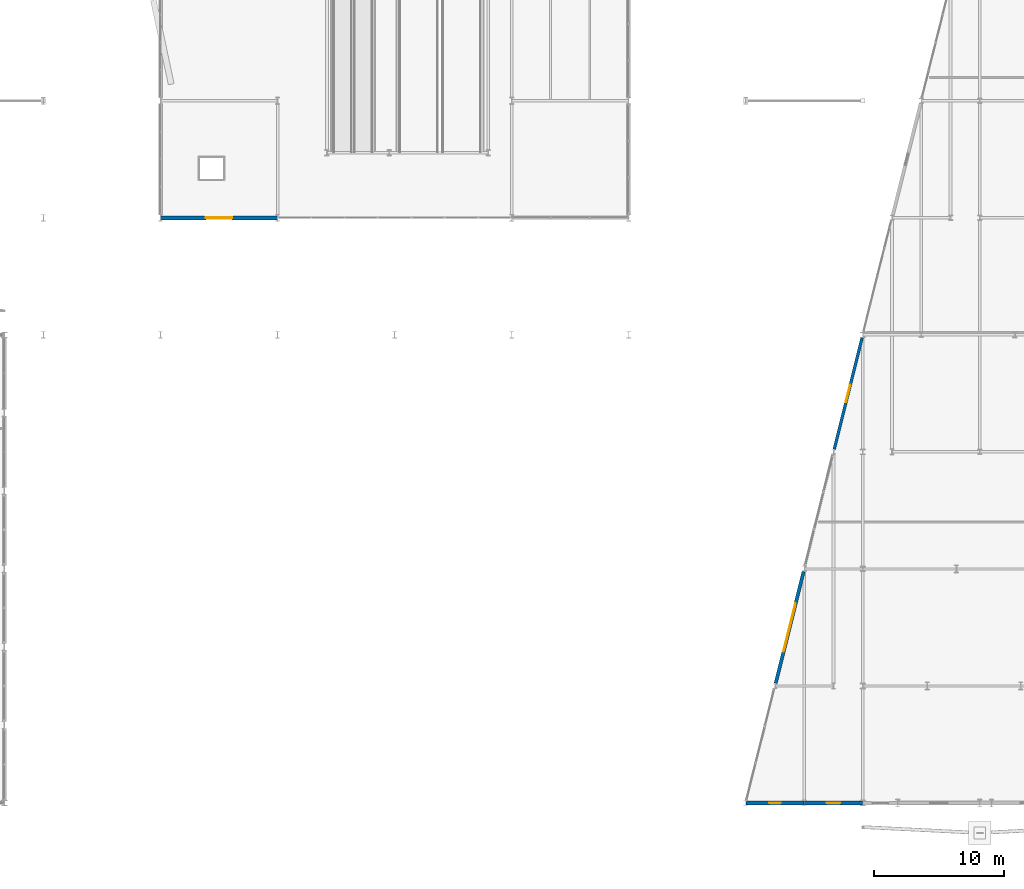
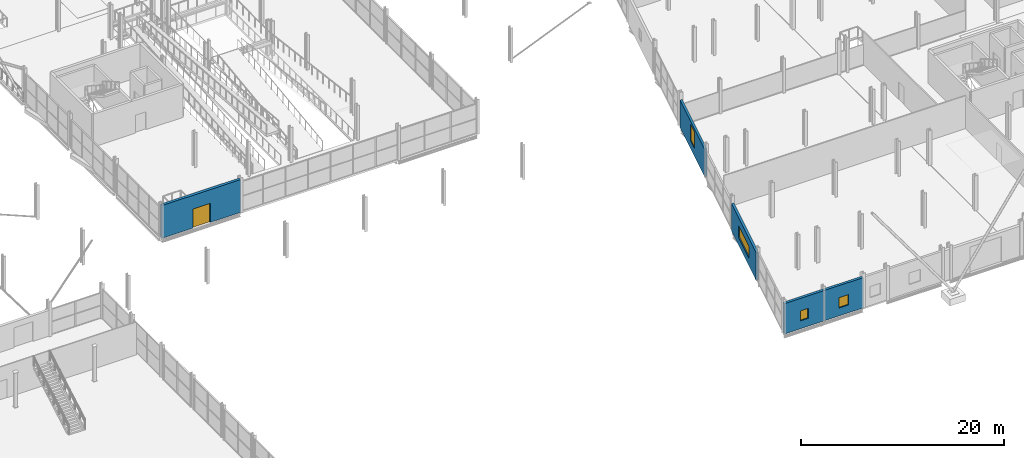
# One storey, part 120 of 140: 5 walls, 4 windows, 1 door, 5 openings.
"""IFC4 building model written with IfcOpenShell, lengths in metres."""

from ifc_helpers import new_model, si_unit, direction, frame, frame_2d, origin, place, context, subcontext, project, spatial, rectangle, extrude, material, layer, layer_set, type_object, element, fill, save


model = new_model("IFC4")

# Units and contexts
model_context = context("Model", 3, precision=1e-05, world=origin(), true_north=direction((0.0, 1.0)))
body_context = subcontext(model_context, "Body", "Model", "MODEL_VIEW")
ifc_project = project(units=[si_unit("LENGTHUNIT", "METRE"), si_unit("AREAUNIT", "SQUARE_METRE"), si_unit("VOLUMEUNIT", "CUBIC_METRE"), si_unit("PLANEANGLEUNIT", "RADIAN"), si_unit("MASSUNIT", "GRAM", prefix="KILO")], contexts=[model_context])

# Site, building, storey
site_placement = place(None, origin())
site = spatial("IfcSite", under=ifc_project, at=site_placement, CompositionType="ELEMENT")
building_placement = place(site_placement, origin())
building = spatial("IfcBuilding", under=site, at=building_placement, Name="Deido Ridge Mobility Hub", CompositionType="ELEMENT")
storey_placement = place(building_placement, origin())
storey = spatial("IfcBuildingStorey", under=building, at=storey_placement, Name="L00", CompositionType="ELEMENT", Elevation=0.0)

# Wall, opening, window
ifc_material_1 = material(Name="Powder-coated aluminium cladding EN AW-3003", Category="aluminium")
ifc_layer_1 = layer(ifc_material_1, 0.22509765625, Name="Powder-coated aluminium cladding EN AW-3003")
ifc_layer_set_1 = layer_set([ifc_layer_1], Name="Powder-coated aluminium cladding EN AW-3003")
wall_type_1 = type_object("IfcWallType", Name="WL-EXT-ALU-225", PredefinedType="STANDARD", material=ifc_layer_set_1)
wall_1_placement = place(storey_placement, frame((123.80126953125, 27.20458984375, 0.0), z_axis=(0.0, 0.0, 1.0), x_axis=(0.242509593434, 0.970149007675, 0.0)))
wall_1 = element("IfcWall", 1, at=wall_1_placement, inside=storey, type_object=wall_type_1, Name="Exterior wall EW6", PredefinedType="STANDARD", context=body_context, shape_type="SweptSolid", body=[
    extrude(rectangle(XDim=8.826904296875, YDim=0.22509765625, at=frame_2d((4.41357421875, 0.0))), origin(), (0.0, 0.0, 1.0), 3.324951171875),
])
opening_1_placement = place(wall_1_placement, frame((3.71337890625, 0.0, 0.949951171875)))
opening_1 = element("IfcOpeningElement", 2, at=opening_1_placement, cuts=wall_1, Name="Opening W21", PredefinedType="OPENING", context=body_context, shape_type="SweptSolid", body=[
    extrude(rectangle(XDim=1.39990234375, YDim=2.0, at=frame_2d((0.699951171875, 1.0))), frame((0.0, 0.12255859375, 0.0), z_axis=(0.0, -1.0, 0.0), x_axis=(1.0, 0.0, 0.0)), (0.0, 0.0, 1.0), 0.2451171875),
])
ifc_material_2 = material(Name="Laminated solar-control low-E glass", Category="glass")
window_type_1 = type_object("IfcWindowType", Name="WN-ALU-1400X2000", PartitioningType="SINGLE_PANEL", PredefinedType="WINDOW", material=ifc_material_2)
window_1_placement = place(opening_1_placement, origin())
window_1 = element("IfcWindow", 3, at=window_1_placement, inside=storey, type_object=window_type_1, Name="Exterior window W21", OverallHeight=2.0, OverallWidth=1.39990234375, PartitioningType="SINGLE_PANEL", PredefinedType="WINDOW", context=body_context, shape_type="SweptSolid", body=[
    extrude(rectangle(XDim=1.39990234375, YDim=2.0, at=frame_2d((0.699951171875, 1.0))), frame((0.0, 0.030029296875, 0.0), z_axis=(0.0, -1.0, 0.0), x_axis=(1.0, 0.0, 0.0)), (0.0, 0.0, 1.0), 0.06005859375),
])
fill(opening_1, window_1)

ifc_material_3 = material(Name="Concrete blockwork masonry", Category="masonry")
ifc_layer_2 = layer(ifc_material_3, 0.264892578125, Name="Concrete blockwork masonry")
ifc_layer_set_2 = layer_set([ifc_layer_2], Name="Concrete blockwork masonry")
wall_type_2 = type_object("IfcWallType", Name="WL-EXT-BLK-265", PredefinedType="STANDARD", material=ifc_layer_set_2)
wall_2_placement = place(storey_placement, frame((119.30126953125, 9.20458984375, 0.0), z_axis=(0.0, 0.0, 1.0), x_axis=(0.242509676291, 0.970148986963, 0.0)))
wall_2 = element("IfcWall", 4, at=wall_2_placement, inside=storey, type_object=wall_type_2, Name="Exterior wall EW3", PredefinedType="STANDARD", context=body_context, shape_type="SweptSolid", body=[
    extrude(rectangle(XDim=8.855224609375, YDim=0.264892578125, at=frame_2d((4.427734375, 0.0))), origin(), (0.0, 0.0, 1.0), 3.324951171875),
])
opening_2_placement = place(wall_2_placement, frame((2.527587890625, 0.0, 0.949951171875)))
opening_2 = element("IfcOpeningElement", 5, at=opening_2_placement, cuts=wall_2, Name="Opening W19", PredefinedType="OPENING", context=body_context, shape_type="SweptSolid", body=[
    extrude(rectangle(XDim=3.800048828125, YDim=1.39990234375, at=frame_2d((1.89990234375, 0.699951171875))), frame((0.0, 0.142578125, 0.0), z_axis=(0.0, -1.0, 0.0), x_axis=(1.0, 0.0, 0.0)), (0.0, 0.0, 1.0), 0.284912109375),
])
window_type_2 = type_object("IfcWindowType", Name="WN-ALU-3800X1400", PartitioningType="DOUBLE_PANEL_VERTICAL", PredefinedType="WINDOW", material=ifc_material_2)
window_2_placement = place(opening_2_placement, origin())
window_2 = element("IfcWindow", 6, at=window_2_placement, inside=storey, type_object=window_type_2, Name="Exterior window W19", OverallHeight=1.39990234375, OverallWidth=3.800048828125, PartitioningType="SINGLE_PANEL", PredefinedType="WINDOW", context=body_context, shape_type="SweptSolid", body=[
    extrude(rectangle(XDim=3.800048828125, YDim=1.39990234375, at=frame_2d((1.89990234375, 0.699951171875))), frame((0.0, 0.030029296875, 0.0), z_axis=(0.0, -1.0, 0.0), x_axis=(1.0, 0.0, 0.0)), (0.0, 0.0, 1.0), 0.06005859375),
])
fill(opening_2, window_2)

ifc_material_4 = material(Name="Fired clay brick masonry", Category="masonry")
ifc_layer_3 = layer(ifc_material_4, 0.294921875, Name="Fired clay brick masonry")
ifc_layer_set_3 = layer_set([ifc_layer_3], Name="Fired clay brick masonry")
wall_type_3 = type_object("IfcWallType", Name="WL-EXT-BRK-295", PredefinedType="STANDARD", material=ifc_layer_set_3)
wall_3_placement = place(storey_placement, frame((121.507080078125, 0.0, 0.0), z_axis=(0.0, 0.0, 1.0), x_axis=(1.0, 0.0, 0.0)))
wall_3 = element("IfcWall", 7, at=wall_3_placement, inside=storey, type_object=wall_type_3, Name="Exterior wall EW2", PredefinedType="STANDARD", context=body_context, shape_type="SweptSolid", body=[
    extrude(rectangle(XDim=4.484130859375, YDim=0.294921875, at=frame_2d((2.2421875, 0.0))), origin(), (0.0, 0.0, 1.0), 3.655029296875),
])
opening_3_placement = place(wall_3_placement, frame((1.717041015625, 0.0, 0.949951171875)))
opening_3 = element("IfcOpeningElement", 8, at=opening_3_placement, cuts=wall_3, Name="Opening W2", PredefinedType="OPENING", context=body_context, shape_type="SweptSolid", body=[
    extrude(rectangle(XDim=1.050048828125, YDim=1.25, at=frame_2d((0.52490234375, 0.625))), frame((0.0, 0.157470703125, 0.0), z_axis=(0.0, -1.0, 0.0), x_axis=(1.0, 0.0, 0.0)), (0.0, 0.0, 1.0), 0.31494140625),
])
window_type_3 = type_object("IfcWindowType", Name="WN-ALU-1050X1250", PartitioningType="SINGLE_PANEL", PredefinedType="WINDOW", material=ifc_material_2)
window_3_placement = place(opening_3_placement, origin())
window_3 = element("IfcWindow", 9, at=window_3_placement, inside=storey, type_object=window_type_3, Name="Exterior window W2", OverallHeight=1.25, OverallWidth=1.050048828125, PartitioningType="SINGLE_PANEL", PredefinedType="WINDOW", context=body_context, shape_type="SweptSolid", body=[
    extrude(rectangle(XDim=1.050048828125, YDim=1.25, at=frame_2d((0.52490234375, 0.625))), frame((0.0, 0.030029296875, 0.0), z_axis=(0.0, -1.0, 0.0), x_axis=(1.0, 0.0, 0.0)), (0.0, 0.0, 1.0), 0.06005859375),
])
fill(opening_3, window_3)

# Wall, opening, door
ifc_layer_4 = layer(ifc_material_4, 0.31005859375, Name="Fired clay brick masonry")
ifc_layer_set_4 = layer_set([ifc_layer_4], Name="Fired clay brick masonry")
wall_type_4 = type_object("IfcWallType", Name="WL-EXT-BRK-310", PredefinedType="STANDARD", material=ifc_layer_set_4)
wall_4_placement = place(storey_placement, frame((72.007080078125, 45.0, 0.0), z_axis=(0.0, 0.0, 1.0), x_axis=(1.0, 0.0, 0.0)))
wall_4 = element("IfcWall", 10, at=wall_4_placement, inside=storey, type_object=wall_type_4, Name="Exterior wall EW1", PredefinedType="STANDARD", context=body_context, shape_type="SweptSolid", body=[
    extrude(rectangle(XDim=8.98583984375, YDim=0.31005859375, at=frame_2d((4.492919921875, 0.0))), origin(), (0.0, 0.0, 1.0), 3.949951171875),
])
opening_4_placement = place(wall_4_placement, frame((3.492919921875, 0.0, 0.0)))
opening_4 = element("IfcOpeningElement", 11, at=opening_4_placement, cuts=wall_4, Name="Opening E5", PredefinedType="OPENING", context=body_context, shape_type="SweptSolid", body=[
    extrude(rectangle(XDim=2.0, YDim=2.300048828125, at=frame_2d((1.0, 1.14990234375))), frame((0.0, 0.1650390625, 0.0), z_axis=(0.0, -1.0, 0.0), x_axis=(1.0, 0.0, 0.0)), (0.0, 0.0, 1.0), 0.330078125),
])
ifc_material_5 = material(Name="Anodised aluminium EN AW-6063 T6", Category="aluminium")
door_type = type_object("IfcDoorType", Name="DR-EXT-2000X2300", OperationType="DOUBLE_DOOR_SINGLE_SWING", PredefinedType="DOOR", material=ifc_material_5)
door_placement = place(opening_4_placement, frame((2.0, 0.0, 0.0), z_axis=(0.0, 0.0, 1.0), x_axis=(-1.0, 0.0, 0.0)))
door = element("IfcDoor", 12, at=door_placement, inside=storey, type_object=door_type, Name="DR-E0008 Final exit door E5", OperationType="DOUBLE_DOOR_SINGLE_SWING", OverallHeight=2.300048828125, OverallWidth=2.0, PredefinedType="DOOR", context=body_context, shape_type="SweptSolid", body=[
    extrude(rectangle(XDim=2.0, YDim=2.300048828125, at=frame_2d((1.0, 1.14990234375))), frame((0.0, 0.02490234375, 0.0), z_axis=(0.0, -1.0, 0.0), x_axis=(1.0, 0.0, 0.0)), (0.0, 0.0, 1.0), 0.050048828125),
])
fill(opening_4, door)

# Wall, opening, window
wall_5_placement = place(storey_placement, frame((117.006103515625, 0.0, 0.0), z_axis=(0.0, 0.0, 1.0), x_axis=(1.0, 0.0, 0.0)))
wall_5 = element("IfcWall", 13, at=wall_5_placement, inside=storey, type_object=wall_type_4, Name="Exterior wall EW1", PredefinedType="STANDARD", context=body_context, shape_type="SweptSolid", body=[
    extrude(rectangle(XDim=4.48681640625, YDim=0.31005859375, at=frame_2d((2.243408203125, 0.0))), origin(), (0.0, 0.0, 1.0), 3.655029296875),
])
opening_5_placement = place(wall_5_placement, frame((1.79345703125, 0.0, 0.949951171875)))
opening_5 = element("IfcOpeningElement", 14, at=opening_5_placement, cuts=wall_5, Name="Opening W1", PredefinedType="OPENING", context=body_context, shape_type="SweptSolid", body=[
    extrude(rectangle(XDim=0.89990234375, YDim=1.199951171875, at=frame_2d((0.449951171875, 0.60009765625))), frame((0.0, 0.1650390625, 0.0), z_axis=(0.0, -1.0, 0.0), x_axis=(1.0, 0.0, 0.0)), (0.0, 0.0, 1.0), 0.330078125),
])
window_type_4 = type_object("IfcWindowType", Name="WN-ALU-900X1200", PartitioningType="SINGLE_PANEL", PredefinedType="WINDOW", material=ifc_material_2)
window_4_placement = place(opening_5_placement, origin())
window_4 = element("IfcWindow", 15, at=window_4_placement, inside=storey, type_object=window_type_4, Name="Exterior window W1", OverallHeight=1.199951171875, OverallWidth=0.89990234375, PartitioningType="SINGLE_PANEL", PredefinedType="WINDOW", context=body_context, shape_type="SweptSolid", body=[
    extrude(rectangle(XDim=0.89990234375, YDim=1.199951171875, at=frame_2d((0.449951171875, 0.60009765625))), frame((0.0, 0.030029296875, 0.0), z_axis=(0.0, -1.0, 0.0), x_axis=(1.0, 0.0, 0.0)), (0.0, 0.0, 1.0), 0.06005859375),
])
fill(opening_5, window_4)

save(model, "model.ifc")
